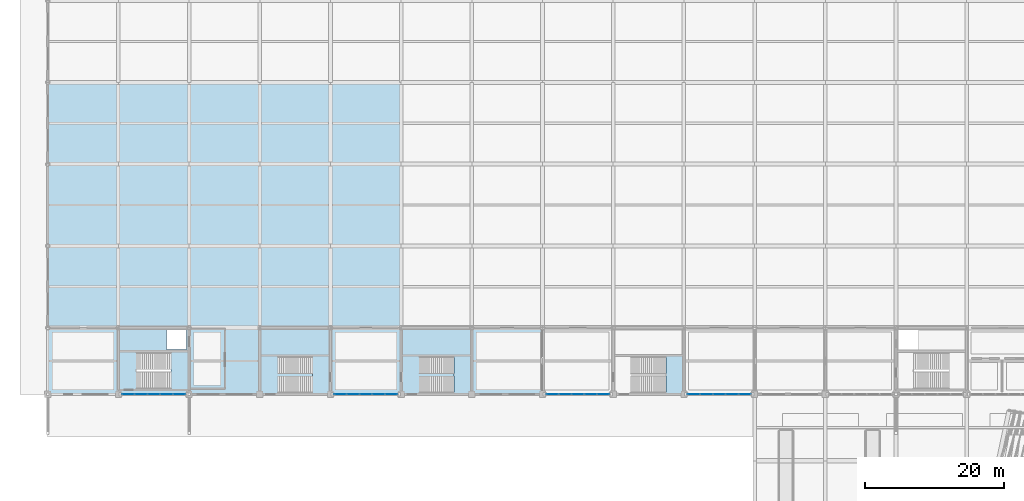
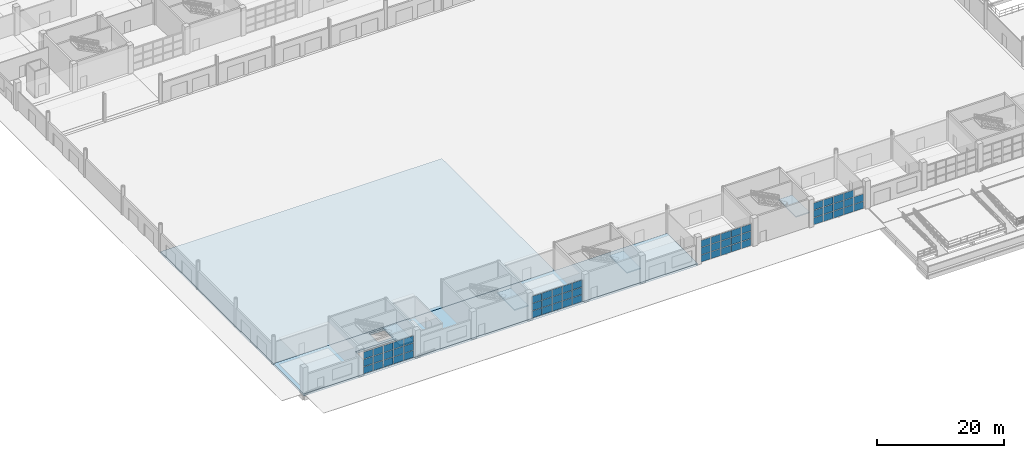
# One storey, part 73 of 124: 59 plates, 6 slabs, 8 elements without a shape of their own.
"""IFC4 building model written with IfcOpenShell, lengths in metres."""

from ifc_helpers import new_model, si_unit, direction, frame, origin, origin_2d, place, context, subcontext, project, spatial, polyline, rectangle, outline, extrude, material, layer, layer_set, type_object, element, aggregate, save


model = new_model("IFC4")

# Units and contexts
model_context = context("Model", 3, precision=1e-05, world=origin(), true_north=direction((0.0, 1.0)))
body_context = subcontext(model_context, "Body", "Model", "MODEL_VIEW")
ifc_project = project(units=[si_unit("LENGTHUNIT", "METRE"), si_unit("AREAUNIT", "SQUARE_METRE"), si_unit("VOLUMEUNIT", "CUBIC_METRE"), si_unit("PLANEANGLEUNIT", "RADIAN"), si_unit("MASSUNIT", "GRAM", prefix="KILO")], contexts=[model_context])

# Site, building, storey
site_placement = place(None, origin())
site = spatial("IfcSite", under=ifc_project, at=site_placement, CompositionType="ELEMENT")
building_placement = place(site_placement, origin())
building = spatial("IfcBuilding", under=site, at=building_placement, Name="Brelvane Convention Centre", CompositionType="ELEMENT")
storey_placement = place(building_placement, origin())
storey = spatial("IfcBuildingStorey", under=building, at=storey_placement, Name="L00", CompositionType="ELEMENT", Elevation=0.0)

# Curtain wall, plates
ifc_material_1 = material(Name="Anodised Aluminium Alloy 6063-T6", Category="aluminium")
curtain_wall_type = type_object("IfcCurtainWallType", Name="Curtain Wall CW-CONC", PredefinedType="USERDEFINED", material=ifc_material_1)
curtain_wall_1_placement = place(storey_placement, origin())
curtain_wall_1 = element("IfcCurtainWall", 1, at=curtain_wall_1_placement, inside=storey, type_object=curtain_wall_type, Name="Curtain Wall CW-CONC L00-V1S-02", ObjectType="UNITISED", PredefinedType="USERDEFINED")
ifc_material_2 = material(Name="Double Glazed Low-E Laminated Unit")
ifc_layer_1 = layer(ifc_material_2, 0.031982421875)
ifc_layer_set_1 = layer_set([ifc_layer_1], Name="Double Glazed Low-E Laminated Unit")
plate_type = type_object("IfcPlateType", Name="Curtain Panel CW-PG1", PredefinedType="CURTAIN_PANEL", material=ifc_layer_set_1)
plate_1_placement = place(storey_placement, frame((11.639892578125, 19.199951171875, 0.080078125), z_axis=(0.0, 0.0, 1.0), x_axis=(1.0, 0.0, 0.0)))
plate_1 = element("IfcPlate", 2, at=plate_1_placement, type_object=plate_type, Name="CW-CONC panel 1.1", PredefinedType="CURTAIN_PANEL", context=body_context, shape_type="SweptSolid", body=[
    extrude(rectangle(XDim=1.719970703125, YDim=0.031982421875, at=origin_2d()), origin(), (0.0, 0.0, 1.0), 1.313232421875),
])
plate_2_placement = place(storey_placement, frame((11.639892578125, 19.199951171875, 1.47314453125), z_axis=(0.0, 0.0, 1.0), x_axis=(1.0, 0.0, 0.0)))
plate_2 = element("IfcPlate", 3, at=plate_2_placement, type_object=plate_type, Name="CW-CONC panel 1.2", PredefinedType="CURTAIN_PANEL", context=body_context, shape_type="SweptSolid", body=[
    extrude(rectangle(XDim=1.719970703125, YDim=0.031982421875, at=origin_2d()), origin(), (0.0, 0.0, 1.0), 1.353515625),
])
plate_3_placement = place(storey_placement, frame((11.639892578125, 19.199951171875, 2.90673828125), z_axis=(0.0, 0.0, 1.0), x_axis=(1.0, 0.0, 0.0)))
plate_3 = element("IfcPlate", 4, at=plate_3_placement, type_object=plate_type, Name="CW-CONC panel 1.3", PredefinedType="CURTAIN_PANEL", context=body_context, shape_type="SweptSolid", body=[
    extrude(rectangle(XDim=1.719970703125, YDim=0.031982421875, at=origin_2d()), origin(), (0.0, 0.0, 1.0), 1.313232421875),
])
plate_4_placement = place(storey_placement, frame((13.4599609375, 19.199951171875, 0.080078125), z_axis=(0.0, 0.0, 1.0), x_axis=(1.0, 0.0, 0.0)))
plate_4 = element("IfcPlate", 5, at=plate_4_placement, type_object=plate_type, Name="CW-CONC panel 2.1", PredefinedType="CURTAIN_PANEL", context=body_context, shape_type="SweptSolid", body=[
    extrude(rectangle(XDim=1.760009765625, YDim=0.031982421875, at=origin_2d()), origin(), (0.0, 0.0, 1.0), 1.313232421875),
])
plate_5_placement = place(storey_placement, frame((13.4599609375, 19.199951171875, 1.47314453125), z_axis=(0.0, 0.0, 1.0), x_axis=(1.0, 0.0, 0.0)))
plate_5 = element("IfcPlate", 6, at=plate_5_placement, type_object=plate_type, Name="CW-CONC panel 2.2", PredefinedType="CURTAIN_PANEL", context=body_context, shape_type="SweptSolid", body=[
    extrude(rectangle(XDim=1.760009765625, YDim=0.031982421875, at=origin_2d()), origin(), (0.0, 0.0, 1.0), 1.353515625),
])
plate_6_placement = place(storey_placement, frame((13.4599609375, 19.199951171875, 2.90673828125), z_axis=(0.0, 0.0, 1.0), x_axis=(1.0, 0.0, 0.0)))
plate_6 = element("IfcPlate", 7, at=plate_6_placement, type_object=plate_type, Name="CW-CONC panel 2.3", PredefinedType="CURTAIN_PANEL", context=body_context, shape_type="SweptSolid", body=[
    extrude(rectangle(XDim=1.760009765625, YDim=0.031982421875, at=origin_2d()), origin(), (0.0, 0.0, 1.0), 1.313232421875),
])
plate_7_placement = place(storey_placement, frame((15.300048828125, 19.199951171875, 0.080078125), z_axis=(0.0, 0.0, 1.0), x_axis=(1.0, 0.0, 0.0)))
plate_7 = element("IfcPlate", 8, at=plate_7_placement, type_object=plate_type, Name="CW-CONC panel 3.1", PredefinedType="CURTAIN_PANEL", context=body_context, shape_type="SweptSolid", body=[
    extrude(rectangle(XDim=1.760009765625, YDim=0.031982421875, at=origin_2d()), origin(), (0.0, 0.0, 1.0), 1.313232421875),
])
plate_8_placement = place(storey_placement, frame((15.300048828125, 19.199951171875, 1.47314453125), z_axis=(0.0, 0.0, 1.0), x_axis=(1.0, 0.0, 0.0)))
plate_8 = element("IfcPlate", 9, at=plate_8_placement, type_object=plate_type, Name="CW-CONC panel 3.2", PredefinedType="CURTAIN_PANEL", context=body_context, shape_type="SweptSolid", body=[
    extrude(rectangle(XDim=1.760009765625, YDim=0.031982421875, at=origin_2d()), origin(), (0.0, 0.0, 1.0), 1.353515625),
])
plate_9_placement = place(storey_placement, frame((15.300048828125, 19.199951171875, 2.90673828125), z_axis=(0.0, 0.0, 1.0), x_axis=(1.0, 0.0, 0.0)))
plate_9 = element("IfcPlate", 10, at=plate_9_placement, type_object=plate_type, Name="CW-CONC panel 3.3", PredefinedType="CURTAIN_PANEL", context=body_context, shape_type="SweptSolid", body=[
    extrude(rectangle(XDim=1.760009765625, YDim=0.031982421875, at=origin_2d()), origin(), (0.0, 0.0, 1.0), 1.313232421875),
])
plate_10_placement = place(storey_placement, frame((17.139892578125, 19.199951171875, 0.080078125), z_axis=(0.0, 0.0, 1.0), x_axis=(1.0, 0.0, 0.0)))
plate_10 = element("IfcPlate", 11, at=plate_10_placement, type_object=plate_type, Name="CW-CONC panel 4.1", PredefinedType="CURTAIN_PANEL", context=body_context, shape_type="SweptSolid", body=[
    extrude(rectangle(XDim=1.760009765625, YDim=0.031982421875, at=origin_2d()), origin(), (0.0, 0.0, 1.0), 1.313232421875),
])
plate_11_placement = place(storey_placement, frame((17.139892578125, 19.199951171875, 1.47314453125), z_axis=(0.0, 0.0, 1.0), x_axis=(1.0, 0.0, 0.0)))
plate_11 = element("IfcPlate", 12, at=plate_11_placement, type_object=plate_type, Name="CW-CONC panel 4.2", PredefinedType="CURTAIN_PANEL", context=body_context, shape_type="SweptSolid", body=[
    extrude(rectangle(XDim=1.760009765625, YDim=0.031982421875, at=origin_2d()), origin(), (0.0, 0.0, 1.0), 1.353515625),
])
plate_12_placement = place(storey_placement, frame((17.139892578125, 19.199951171875, 2.90673828125), z_axis=(0.0, 0.0, 1.0), x_axis=(1.0, 0.0, 0.0)))
plate_12 = element("IfcPlate", 13, at=plate_12_placement, type_object=plate_type, Name="CW-CONC panel 4.3", PredefinedType="CURTAIN_PANEL", context=body_context, shape_type="SweptSolid", body=[
    extrude(rectangle(XDim=1.760009765625, YDim=0.031982421875, at=origin_2d()), origin(), (0.0, 0.0, 1.0), 1.313232421875),
])
plate_13_placement = place(storey_placement, frame((18.9599609375, 19.199951171875, 0.080078125), z_axis=(0.0, 0.0, 1.0), x_axis=(1.0, 0.0, 0.0)))
plate_13 = element("IfcPlate", 14, at=plate_13_placement, type_object=plate_type, Name="CW-CONC panel 5.1", PredefinedType="CURTAIN_PANEL", context=body_context, shape_type="SweptSolid", body=[
    extrude(rectangle(XDim=1.719970703125, YDim=0.031982421875, at=origin_2d()), origin(), (0.0, 0.0, 1.0), 1.313232421875),
])
plate_14_placement = place(storey_placement, frame((18.9599609375, 19.199951171875, 1.47314453125), z_axis=(0.0, 0.0, 1.0), x_axis=(1.0, 0.0, 0.0)))
plate_14 = element("IfcPlate", 15, at=plate_14_placement, type_object=plate_type, Name="CW-CONC panel 5.2", PredefinedType="CURTAIN_PANEL", context=body_context, shape_type="SweptSolid", body=[
    extrude(rectangle(XDim=1.719970703125, YDim=0.031982421875, at=origin_2d()), origin(), (0.0, 0.0, 1.0), 1.353515625),
])
plate_15_placement = place(storey_placement, frame((18.9599609375, 19.199951171875, 2.90673828125), z_axis=(0.0, 0.0, 1.0), x_axis=(1.0, 0.0, 0.0)))
plate_15 = element("IfcPlate", 16, at=plate_15_placement, type_object=plate_type, Name="CW-CONC panel 5.3", PredefinedType="CURTAIN_PANEL", context=body_context, shape_type="SweptSolid", body=[
    extrude(rectangle(XDim=1.719970703125, YDim=0.031982421875, at=origin_2d()), origin(), (0.0, 0.0, 1.0), 1.313232421875),
])
aggregate(curtain_wall_1, [plate_1, plate_2, plate_3, plate_4, plate_5, plate_6, plate_7, plate_8, plate_9, plate_10, plate_11, plate_12, plate_13, plate_14, plate_15])

curtain_wall_2_placement = place(storey_placement, origin())
curtain_wall_2 = element("IfcCurtainWall", 17, at=curtain_wall_2_placement, inside=storey, type_object=curtain_wall_type, Name="Curtain Wall CW-CONC L00-V1S-05", ObjectType="UNITISED", PredefinedType="USERDEFINED")
plate_16_placement = place(storey_placement, frame((42.239990234375, 19.199951171875, 0.080078125), z_axis=(0.0, 0.0, 1.0), x_axis=(1.0, 0.0, 0.0)))
plate_16 = element("IfcPlate", 18, at=plate_16_placement, type_object=plate_type, Name="CW-CONC panel 1.1", PredefinedType="CURTAIN_PANEL", context=body_context, shape_type="SweptSolid", body=[
    extrude(rectangle(XDim=1.719970703125, YDim=0.031982421875, at=origin_2d()), origin(), (0.0, 0.0, 1.0), 1.313232421875),
])
plate_17_placement = place(storey_placement, frame((42.239990234375, 19.199951171875, 1.47314453125), z_axis=(0.0, 0.0, 1.0), x_axis=(1.0, 0.0, 0.0)))
plate_17 = element("IfcPlate", 19, at=plate_17_placement, type_object=plate_type, Name="CW-CONC panel 1.2", PredefinedType="CURTAIN_PANEL", context=body_context, shape_type="SweptSolid", body=[
    extrude(rectangle(XDim=1.719970703125, YDim=0.031982421875, at=origin_2d()), origin(), (0.0, 0.0, 1.0), 1.353515625),
])
plate_18_placement = place(storey_placement, frame((42.239990234375, 19.199951171875, 2.90673828125), z_axis=(0.0, 0.0, 1.0), x_axis=(1.0, 0.0, 0.0)))
plate_18 = element("IfcPlate", 20, at=plate_18_placement, type_object=plate_type, Name="CW-CONC panel 1.3", PredefinedType="CURTAIN_PANEL", context=body_context, shape_type="SweptSolid", body=[
    extrude(rectangle(XDim=1.719970703125, YDim=0.031982421875, at=origin_2d()), origin(), (0.0, 0.0, 1.0), 1.313232421875),
])
plate_19_placement = place(storey_placement, frame((44.06005859375, 19.199951171875, 0.080078125), z_axis=(0.0, 0.0, 1.0), x_axis=(1.0, 0.0, 0.0)))
plate_19 = element("IfcPlate", 21, at=plate_19_placement, type_object=plate_type, Name="CW-CONC panel 2.1", PredefinedType="CURTAIN_PANEL", context=body_context, shape_type="SweptSolid", body=[
    extrude(rectangle(XDim=1.760009765625, YDim=0.031982421875, at=origin_2d()), origin(), (0.0, 0.0, 1.0), 1.313232421875),
])
plate_20_placement = place(storey_placement, frame((44.06005859375, 19.199951171875, 1.47314453125), z_axis=(0.0, 0.0, 1.0), x_axis=(1.0, 0.0, 0.0)))
plate_20 = element("IfcPlate", 22, at=plate_20_placement, type_object=plate_type, Name="CW-CONC panel 2.2", PredefinedType="CURTAIN_PANEL", context=body_context, shape_type="SweptSolid", body=[
    extrude(rectangle(XDim=1.760009765625, YDim=0.031982421875, at=origin_2d()), origin(), (0.0, 0.0, 1.0), 1.353515625),
])
plate_21_placement = place(storey_placement, frame((44.06005859375, 19.199951171875, 2.90673828125), z_axis=(0.0, 0.0, 1.0), x_axis=(1.0, 0.0, 0.0)))
plate_21 = element("IfcPlate", 23, at=plate_21_placement, type_object=plate_type, Name="CW-CONC panel 2.3", PredefinedType="CURTAIN_PANEL", context=body_context, shape_type="SweptSolid", body=[
    extrude(rectangle(XDim=1.760009765625, YDim=0.031982421875, at=origin_2d()), origin(), (0.0, 0.0, 1.0), 1.313232421875),
])
plate_22_placement = place(storey_placement, frame((45.89990234375, 19.199951171875, 0.080078125), z_axis=(0.0, 0.0, 1.0), x_axis=(1.0, 0.0, 0.0)))
plate_22 = element("IfcPlate", 24, at=plate_22_placement, type_object=plate_type, Name="CW-CONC panel 3.1", PredefinedType="CURTAIN_PANEL", context=body_context, shape_type="SweptSolid", body=[
    extrude(rectangle(XDim=1.760009765625, YDim=0.031982421875, at=origin_2d()), origin(), (0.0, 0.0, 1.0), 1.313232421875),
])
plate_23_placement = place(storey_placement, frame((45.89990234375, 19.199951171875, 1.47314453125), z_axis=(0.0, 0.0, 1.0), x_axis=(1.0, 0.0, 0.0)))
plate_23 = element("IfcPlate", 25, at=plate_23_placement, type_object=plate_type, Name="CW-CONC panel 3.2", PredefinedType="CURTAIN_PANEL", context=body_context, shape_type="SweptSolid", body=[
    extrude(rectangle(XDim=1.760009765625, YDim=0.031982421875, at=origin_2d()), origin(), (0.0, 0.0, 1.0), 1.353515625),
])
plate_24_placement = place(storey_placement, frame((45.89990234375, 19.199951171875, 2.90673828125), z_axis=(0.0, 0.0, 1.0), x_axis=(1.0, 0.0, 0.0)))
plate_24 = element("IfcPlate", 26, at=plate_24_placement, type_object=plate_type, Name="CW-CONC panel 3.3", PredefinedType="CURTAIN_PANEL", context=body_context, shape_type="SweptSolid", body=[
    extrude(rectangle(XDim=1.760009765625, YDim=0.031982421875, at=origin_2d()), origin(), (0.0, 0.0, 1.0), 1.313232421875),
])
plate_25_placement = place(storey_placement, frame((47.739990234375, 19.199951171875, 0.080078125), z_axis=(0.0, 0.0, 1.0), x_axis=(1.0, 0.0, 0.0)))
plate_25 = element("IfcPlate", 27, at=plate_25_placement, type_object=plate_type, Name="CW-CONC panel 4.1", PredefinedType="CURTAIN_PANEL", context=body_context, shape_type="SweptSolid", body=[
    extrude(rectangle(XDim=1.760009765625, YDim=0.031982421875, at=origin_2d()), origin(), (0.0, 0.0, 1.0), 1.313232421875),
])
plate_26_placement = place(storey_placement, frame((47.739990234375, 19.199951171875, 1.47314453125), z_axis=(0.0, 0.0, 1.0), x_axis=(1.0, 0.0, 0.0)))
plate_26 = element("IfcPlate", 28, at=plate_26_placement, type_object=plate_type, Name="CW-CONC panel 4.2", PredefinedType="CURTAIN_PANEL", context=body_context, shape_type="SweptSolid", body=[
    extrude(rectangle(XDim=1.760009765625, YDim=0.031982421875, at=origin_2d()), origin(), (0.0, 0.0, 1.0), 1.353515625),
])
plate_27_placement = place(storey_placement, frame((47.739990234375, 19.199951171875, 2.90673828125), z_axis=(0.0, 0.0, 1.0), x_axis=(1.0, 0.0, 0.0)))
plate_27 = element("IfcPlate", 29, at=plate_27_placement, type_object=plate_type, Name="CW-CONC panel 4.3", PredefinedType="CURTAIN_PANEL", context=body_context, shape_type="SweptSolid", body=[
    extrude(rectangle(XDim=1.760009765625, YDim=0.031982421875, at=origin_2d()), origin(), (0.0, 0.0, 1.0), 1.313232421875),
])
plate_28_placement = place(storey_placement, frame((49.56005859375, 19.199951171875, 0.080078125), z_axis=(0.0, 0.0, 1.0), x_axis=(1.0, 0.0, 0.0)))
plate_28 = element("IfcPlate", 30, at=plate_28_placement, type_object=plate_type, Name="CW-CONC panel 5.1", PredefinedType="CURTAIN_PANEL", context=body_context, shape_type="SweptSolid", body=[
    extrude(rectangle(XDim=1.719970703125, YDim=0.031982421875, at=origin_2d()), origin(), (0.0, 0.0, 1.0), 1.313232421875),
])
plate_29_placement = place(storey_placement, frame((49.56005859375, 19.199951171875, 1.47314453125), z_axis=(0.0, 0.0, 1.0), x_axis=(1.0, 0.0, 0.0)))
plate_29 = element("IfcPlate", 31, at=plate_29_placement, type_object=plate_type, Name="CW-CONC panel 5.2", PredefinedType="CURTAIN_PANEL", context=body_context, shape_type="SweptSolid", body=[
    extrude(rectangle(XDim=1.719970703125, YDim=0.031982421875, at=origin_2d()), origin(), (0.0, 0.0, 1.0), 1.353515625),
])
plate_30_placement = place(storey_placement, frame((49.56005859375, 19.199951171875, 2.90673828125), z_axis=(0.0, 0.0, 1.0), x_axis=(1.0, 0.0, 0.0)))
plate_30 = element("IfcPlate", 32, at=plate_30_placement, type_object=plate_type, Name="CW-CONC panel 5.3", PredefinedType="CURTAIN_PANEL", context=body_context, shape_type="SweptSolid", body=[
    extrude(rectangle(XDim=1.719970703125, YDim=0.031982421875, at=origin_2d()), origin(), (0.0, 0.0, 1.0), 1.313232421875),
])
aggregate(curtain_wall_2, [plate_16, plate_17, plate_18, plate_19, plate_20, plate_21, plate_22, plate_23, plate_24, plate_25, plate_26, plate_27, plate_28, plate_29, plate_30])

curtain_wall_3_placement = place(storey_placement, origin())
curtain_wall_3 = element("IfcCurtainWall", 33, at=curtain_wall_3_placement, inside=storey, type_object=curtain_wall_type, Name="Curtain Wall CW-CONC L00-V1S-08", ObjectType="UNITISED", PredefinedType="USERDEFINED")
plate_31_placement = place(storey_placement, frame((72.840087890625, 19.199951171875, 0.080078125), z_axis=(0.0, 0.0, 1.0), x_axis=(1.0, 0.0, 0.0)))
plate_31 = element("IfcPlate", 34, at=plate_31_placement, type_object=plate_type, Name="CW-CONC panel 1.1", PredefinedType="CURTAIN_PANEL", context=body_context, shape_type="SweptSolid", body=[
    extrude(rectangle(XDim=1.719970703125, YDim=0.031982421875, at=origin_2d()), origin(), (0.0, 0.0, 1.0), 1.313232421875),
])
plate_32_placement = place(storey_placement, frame((72.840087890625, 19.199951171875, 1.47314453125), z_axis=(0.0, 0.0, 1.0), x_axis=(1.0, 0.0, 0.0)))
plate_32 = element("IfcPlate", 35, at=plate_32_placement, type_object=plate_type, Name="CW-CONC panel 1.2", PredefinedType="CURTAIN_PANEL", context=body_context, shape_type="SweptSolid", body=[
    extrude(rectangle(XDim=1.719970703125, YDim=0.031982421875, at=origin_2d()), origin(), (0.0, 0.0, 1.0), 1.353515625),
])
plate_33_placement = place(storey_placement, frame((72.840087890625, 19.199951171875, 2.90673828125), z_axis=(0.0, 0.0, 1.0), x_axis=(1.0, 0.0, 0.0)))
plate_33 = element("IfcPlate", 36, at=plate_33_placement, type_object=plate_type, Name="CW-CONC panel 1.3", PredefinedType="CURTAIN_PANEL", context=body_context, shape_type="SweptSolid", body=[
    extrude(rectangle(XDim=1.719970703125, YDim=0.031982421875, at=origin_2d()), origin(), (0.0, 0.0, 1.0), 1.313232421875),
])
plate_34_placement = place(storey_placement, frame((74.659912109375, 19.199951171875, 0.080078125), z_axis=(0.0, 0.0, 1.0), x_axis=(1.0, 0.0, 0.0)))
plate_34 = element("IfcPlate", 37, at=plate_34_placement, type_object=plate_type, Name="CW-CONC panel 2.1", PredefinedType="CURTAIN_PANEL", context=body_context, shape_type="SweptSolid", body=[
    extrude(rectangle(XDim=1.760009765625, YDim=0.031982421875, at=origin_2d()), origin(), (0.0, 0.0, 1.0), 1.313232421875),
])
plate_35_placement = place(storey_placement, frame((74.659912109375, 19.199951171875, 1.47314453125), z_axis=(0.0, 0.0, 1.0), x_axis=(1.0, 0.0, 0.0)))
plate_35 = element("IfcPlate", 38, at=plate_35_placement, type_object=plate_type, Name="CW-CONC panel 2.2", PredefinedType="CURTAIN_PANEL", context=body_context, shape_type="SweptSolid", body=[
    extrude(rectangle(XDim=1.760009765625, YDim=0.031982421875, at=origin_2d()), origin(), (0.0, 0.0, 1.0), 1.353515625),
])
plate_36_placement = place(storey_placement, frame((74.659912109375, 19.199951171875, 2.90673828125), z_axis=(0.0, 0.0, 1.0), x_axis=(1.0, 0.0, 0.0)))
plate_36 = element("IfcPlate", 39, at=plate_36_placement, type_object=plate_type, Name="CW-CONC panel 2.3", PredefinedType="CURTAIN_PANEL", context=body_context, shape_type="SweptSolid", body=[
    extrude(rectangle(XDim=1.760009765625, YDim=0.031982421875, at=origin_2d()), origin(), (0.0, 0.0, 1.0), 1.313232421875),
])
plate_37_placement = place(storey_placement, frame((76.5, 19.199951171875, 0.080078125), z_axis=(0.0, 0.0, 1.0), x_axis=(1.0, 0.0, 0.0)))
plate_37 = element("IfcPlate", 40, at=plate_37_placement, type_object=plate_type, Name="CW-CONC panel 3.1", PredefinedType="CURTAIN_PANEL", context=body_context, shape_type="SweptSolid", body=[
    extrude(rectangle(XDim=1.760009765625, YDim=0.031982421875, at=origin_2d()), origin(), (0.0, 0.0, 1.0), 1.313232421875),
])
plate_38_placement = place(storey_placement, frame((76.5, 19.199951171875, 1.47314453125), z_axis=(0.0, 0.0, 1.0), x_axis=(1.0, 0.0, 0.0)))
plate_38 = element("IfcPlate", 41, at=plate_38_placement, type_object=plate_type, Name="CW-CONC panel 3.2", PredefinedType="CURTAIN_PANEL", context=body_context, shape_type="SweptSolid", body=[
    extrude(rectangle(XDim=1.760009765625, YDim=0.031982421875, at=origin_2d()), origin(), (0.0, 0.0, 1.0), 1.353515625),
])
plate_39_placement = place(storey_placement, frame((76.5, 19.199951171875, 2.90673828125), z_axis=(0.0, 0.0, 1.0), x_axis=(1.0, 0.0, 0.0)))
plate_39 = element("IfcPlate", 42, at=plate_39_placement, type_object=plate_type, Name="CW-CONC panel 3.3", PredefinedType="CURTAIN_PANEL", context=body_context, shape_type="SweptSolid", body=[
    extrude(rectangle(XDim=1.760009765625, YDim=0.031982421875, at=origin_2d()), origin(), (0.0, 0.0, 1.0), 1.313232421875),
])
plate_40_placement = place(storey_placement, frame((78.340087890625, 19.199951171875, 0.080078125), z_axis=(0.0, 0.0, 1.0), x_axis=(1.0, 0.0, 0.0)))
plate_40 = element("IfcPlate", 43, at=plate_40_placement, type_object=plate_type, Name="CW-CONC panel 4.1", PredefinedType="CURTAIN_PANEL", context=body_context, shape_type="SweptSolid", body=[
    extrude(rectangle(XDim=1.760009765625, YDim=0.031982421875, at=origin_2d()), origin(), (0.0, 0.0, 1.0), 1.313232421875),
])
plate_41_placement = place(storey_placement, frame((78.340087890625, 19.199951171875, 1.47314453125), z_axis=(0.0, 0.0, 1.0), x_axis=(1.0, 0.0, 0.0)))
plate_41 = element("IfcPlate", 44, at=plate_41_placement, type_object=plate_type, Name="CW-CONC panel 4.2", PredefinedType="CURTAIN_PANEL", context=body_context, shape_type="SweptSolid", body=[
    extrude(rectangle(XDim=1.760009765625, YDim=0.031982421875, at=origin_2d()), origin(), (0.0, 0.0, 1.0), 1.353515625),
])
plate_42_placement = place(storey_placement, frame((78.340087890625, 19.199951171875, 2.90673828125), z_axis=(0.0, 0.0, 1.0), x_axis=(1.0, 0.0, 0.0)))
plate_42 = element("IfcPlate", 45, at=plate_42_placement, type_object=plate_type, Name="CW-CONC panel 4.3", PredefinedType="CURTAIN_PANEL", context=body_context, shape_type="SweptSolid", body=[
    extrude(rectangle(XDim=1.760009765625, YDim=0.031982421875, at=origin_2d()), origin(), (0.0, 0.0, 1.0), 1.313232421875),
])
plate_43_placement = place(storey_placement, frame((80.159912109375, 19.199951171875, 0.080078125), z_axis=(0.0, 0.0, 1.0), x_axis=(1.0, 0.0, 0.0)))
plate_43 = element("IfcPlate", 46, at=plate_43_placement, type_object=plate_type, Name="CW-CONC panel 5.1", PredefinedType="CURTAIN_PANEL", context=body_context, shape_type="SweptSolid", body=[
    extrude(rectangle(XDim=1.719970703125, YDim=0.031982421875, at=origin_2d()), origin(), (0.0, 0.0, 1.0), 1.313232421875),
])
plate_44_placement = place(storey_placement, frame((80.159912109375, 19.199951171875, 1.47314453125), z_axis=(0.0, 0.0, 1.0), x_axis=(1.0, 0.0, 0.0)))
plate_44 = element("IfcPlate", 47, at=plate_44_placement, type_object=plate_type, Name="CW-CONC panel 5.2", PredefinedType="CURTAIN_PANEL", context=body_context, shape_type="SweptSolid", body=[
    extrude(rectangle(XDim=1.719970703125, YDim=0.031982421875, at=origin_2d()), origin(), (0.0, 0.0, 1.0), 1.353515625),
])
plate_45_placement = place(storey_placement, frame((80.159912109375, 19.199951171875, 2.90673828125), z_axis=(0.0, 0.0, 1.0), x_axis=(1.0, 0.0, 0.0)))
plate_45 = element("IfcPlate", 48, at=plate_45_placement, type_object=plate_type, Name="CW-CONC panel 5.3", PredefinedType="CURTAIN_PANEL", context=body_context, shape_type="SweptSolid", body=[
    extrude(rectangle(XDim=1.719970703125, YDim=0.031982421875, at=origin_2d()), origin(), (0.0, 0.0, 1.0), 1.313232421875),
])
aggregate(curtain_wall_3, [plate_31, plate_32, plate_33, plate_34, plate_35, plate_36, plate_37, plate_38, plate_39, plate_40, plate_41, plate_42, plate_43, plate_44, plate_45])

curtain_wall_4_placement = place(storey_placement, origin())
curtain_wall_4 = element("IfcCurtainWall", 49, at=curtain_wall_4_placement, inside=storey, type_object=curtain_wall_type, Name="Curtain Wall CW-CONC L00-V1S-10", ObjectType="UNITISED", PredefinedType="USERDEFINED")
plate_46_placement = place(storey_placement, frame((93.239990234375, 19.199951171875, 0.080078125), z_axis=(0.0, 0.0, 1.0), x_axis=(1.0, 0.0, 0.0)))
plate_46 = element("IfcPlate", 50, at=plate_46_placement, type_object=plate_type, Name="CW-CONC panel 1.1", PredefinedType="CURTAIN_PANEL", context=body_context, shape_type="SweptSolid", body=[
    extrude(rectangle(XDim=1.719970703125, YDim=0.031982421875, at=origin_2d()), origin(), (0.0, 0.0, 1.0), 1.313232421875),
])
plate_47_placement = place(storey_placement, frame((93.239990234375, 19.199951171875, 1.47314453125), z_axis=(0.0, 0.0, 1.0), x_axis=(1.0, 0.0, 0.0)))
plate_47 = element("IfcPlate", 51, at=plate_47_placement, type_object=plate_type, Name="CW-CONC panel 1.2", PredefinedType="CURTAIN_PANEL", context=body_context, shape_type="SweptSolid", body=[
    extrude(rectangle(XDim=1.719970703125, YDim=0.031982421875, at=origin_2d()), origin(), (0.0, 0.0, 1.0), 1.353515625),
])
plate_48_placement = place(storey_placement, frame((93.239990234375, 19.199951171875, 2.90673828125), z_axis=(0.0, 0.0, 1.0), x_axis=(1.0, 0.0, 0.0)))
plate_48 = element("IfcPlate", 52, at=plate_48_placement, type_object=plate_type, Name="CW-CONC panel 1.3", PredefinedType="CURTAIN_PANEL", context=body_context, shape_type="SweptSolid", body=[
    extrude(rectangle(XDim=1.719970703125, YDim=0.031982421875, at=origin_2d()), origin(), (0.0, 0.0, 1.0), 1.313232421875),
])
plate_49_placement = place(storey_placement, frame((95.06005859375, 19.199951171875, 0.080078125), z_axis=(0.0, 0.0, 1.0), x_axis=(1.0, 0.0, 0.0)))
plate_49 = element("IfcPlate", 53, at=plate_49_placement, type_object=plate_type, Name="CW-CONC panel 2.1", PredefinedType="CURTAIN_PANEL", context=body_context, shape_type="SweptSolid", body=[
    extrude(rectangle(XDim=1.760009765625, YDim=0.031982421875, at=origin_2d()), origin(), (0.0, 0.0, 1.0), 1.313232421875),
])
plate_50_placement = place(storey_placement, frame((95.06005859375, 19.199951171875, 1.47314453125), z_axis=(0.0, 0.0, 1.0), x_axis=(1.0, 0.0, 0.0)))
plate_50 = element("IfcPlate", 54, at=plate_50_placement, type_object=plate_type, Name="CW-CONC panel 2.2", PredefinedType="CURTAIN_PANEL", context=body_context, shape_type="SweptSolid", body=[
    extrude(rectangle(XDim=1.760009765625, YDim=0.031982421875, at=origin_2d()), origin(), (0.0, 0.0, 1.0), 1.353515625),
])
plate_51_placement = place(storey_placement, frame((95.06005859375, 19.199951171875, 2.90673828125), z_axis=(0.0, 0.0, 1.0), x_axis=(1.0, 0.0, 0.0)))
plate_51 = element("IfcPlate", 55, at=plate_51_placement, type_object=plate_type, Name="CW-CONC panel 2.3", PredefinedType="CURTAIN_PANEL", context=body_context, shape_type="SweptSolid", body=[
    extrude(rectangle(XDim=1.760009765625, YDim=0.031982421875, at=origin_2d()), origin(), (0.0, 0.0, 1.0), 1.313232421875),
])
plate_52_placement = place(storey_placement, frame((96.89990234375, 19.199951171875, 0.080078125), z_axis=(0.0, 0.0, 1.0), x_axis=(1.0, 0.0, 0.0)))
plate_52 = element("IfcPlate", 56, at=plate_52_placement, type_object=plate_type, Name="CW-CONC panel 3.1", PredefinedType="CURTAIN_PANEL", context=body_context, shape_type="SweptSolid", body=[
    extrude(rectangle(XDim=1.760009765625, YDim=0.031982421875, at=origin_2d()), origin(), (0.0, 0.0, 1.0), 1.313232421875),
])
plate_53_placement = place(storey_placement, frame((96.89990234375, 19.199951171875, 1.47314453125), z_axis=(0.0, 0.0, 1.0), x_axis=(1.0, 0.0, 0.0)))
plate_53 = element("IfcPlate", 57, at=plate_53_placement, type_object=plate_type, Name="CW-CONC panel 3.2", PredefinedType="CURTAIN_PANEL", context=body_context, shape_type="SweptSolid", body=[
    extrude(rectangle(XDim=1.760009765625, YDim=0.031982421875, at=origin_2d()), origin(), (0.0, 0.0, 1.0), 1.353515625),
])
plate_54_placement = place(storey_placement, frame((96.89990234375, 19.199951171875, 2.90673828125), z_axis=(0.0, 0.0, 1.0), x_axis=(1.0, 0.0, 0.0)))
plate_54 = element("IfcPlate", 58, at=plate_54_placement, type_object=plate_type, Name="CW-CONC panel 3.3", PredefinedType="CURTAIN_PANEL", context=body_context, shape_type="SweptSolid", body=[
    extrude(rectangle(XDim=1.760009765625, YDim=0.031982421875, at=origin_2d()), origin(), (0.0, 0.0, 1.0), 1.313232421875),
])
plate_55_placement = place(storey_placement, frame((98.739990234375, 19.199951171875, 0.080078125), z_axis=(0.0, 0.0, 1.0), x_axis=(1.0, 0.0, 0.0)))
plate_55 = element("IfcPlate", 59, at=plate_55_placement, type_object=plate_type, Name="CW-CONC panel 4.1", PredefinedType="CURTAIN_PANEL", context=body_context, shape_type="SweptSolid", body=[
    extrude(rectangle(XDim=1.760009765625, YDim=0.031982421875, at=origin_2d()), origin(), (0.0, 0.0, 1.0), 1.313232421875),
])
plate_56_placement = place(storey_placement, frame((98.739990234375, 19.199951171875, 1.47314453125), z_axis=(0.0, 0.0, 1.0), x_axis=(1.0, 0.0, 0.0)))
plate_56 = element("IfcPlate", 60, at=plate_56_placement, type_object=plate_type, Name="CW-CONC panel 4.2", PredefinedType="CURTAIN_PANEL", context=body_context, shape_type="SweptSolid", body=[
    extrude(rectangle(XDim=1.760009765625, YDim=0.031982421875, at=origin_2d()), origin(), (0.0, 0.0, 1.0), 1.353515625),
])
plate_57_placement = place(storey_placement, frame((98.739990234375, 19.199951171875, 2.90673828125), z_axis=(0.0, 0.0, 1.0), x_axis=(1.0, 0.0, 0.0)))
plate_57 = element("IfcPlate", 61, at=plate_57_placement, type_object=plate_type, Name="CW-CONC panel 4.3", PredefinedType="CURTAIN_PANEL", context=body_context, shape_type="SweptSolid", body=[
    extrude(rectangle(XDim=1.760009765625, YDim=0.031982421875, at=origin_2d()), origin(), (0.0, 0.0, 1.0), 1.313232421875),
])
plate_58_placement = place(storey_placement, frame((100.56005859375, 19.199951171875, 0.080078125), z_axis=(0.0, 0.0, 1.0), x_axis=(1.0, 0.0, 0.0)))
plate_58 = element("IfcPlate", 62, at=plate_58_placement, type_object=plate_type, Name="CW-CONC panel 5.1", PredefinedType="CURTAIN_PANEL", context=body_context, shape_type="SweptSolid", body=[
    extrude(rectangle(XDim=1.719970703125, YDim=0.031982421875, at=origin_2d()), origin(), (0.0, 0.0, 1.0), 1.313232421875),
])
plate_59_placement = place(storey_placement, frame((100.56005859375, 19.199951171875, 1.47314453125), z_axis=(0.0, 0.0, 1.0), x_axis=(1.0, 0.0, 0.0)))
plate_59 = element("IfcPlate", 63, at=plate_59_placement, type_object=plate_type, Name="CW-CONC panel 5.2", PredefinedType="CURTAIN_PANEL", context=body_context, shape_type="SweptSolid", body=[
    extrude(rectangle(XDim=1.719970703125, YDim=0.031982421875, at=origin_2d()), origin(), (0.0, 0.0, 1.0), 1.353515625),
])
aggregate(curtain_wall_4, [plate_46, plate_47, plate_48, plate_49, plate_50, plate_51, plate_52, plate_53, plate_54, plate_55, plate_56, plate_57, plate_58, plate_59])

# Stair, slab
ifc_material_3 = material(Name="Concrete M40", Category="concrete")
stair_type = type_object("IfcStairType", Name="Exit Stair ST-CORE", PredefinedType="HALF_TURN_STAIR", material=ifc_material_3)
stair_1_placement = place(storey_placement, origin())
stair_1 = element("IfcStair", 64, at=stair_1_placement, inside=storey, type_object=stair_type, Name="Exit Stair ST-01 (L00 to L01)", PredefinedType="HALF_TURN_STAIR")
ifc_material_4 = material(Name="Concrete M40", Category="concrete")
ifc_layer_2 = layer(ifc_material_4, 0.199951171875)
ifc_layer_set_2 = layer_set([ifc_layer_2], Name="Concrete M40")
slab_type_1 = type_object("IfcSlabType", Name="Stair Landing SL-LND-200", PredefinedType="LANDING", material=ifc_layer_set_2)
slab_1_placement = place(storey_placement, frame((0.0, 0.0, 2.5)))
slab_1 = element("IfcSlab", 65, at=slab_1_placement, type_object=slab_type_1, Name="Stair ST-01 L00 Half Landing", PredefinedType="LANDING", context=body_context, shape_type="SweptSolid", body=[
    extrude(outline(polyline([(17.820068359375, 19.8798828125), (20.320068359375, 19.8798828125), (20.320068359375, 25.320068359375), (17.820068359375, 25.320068359375), (17.820068359375, 19.8798828125)])), origin(), (0.0, 0.0, 1.0), 0.199951171875),
])
aggregate(stair_1, [slab_1])

stair_2_placement = place(storey_placement, origin())
stair_2 = element("IfcStair", 66, at=stair_2_placement, inside=storey, type_object=stair_type, Name="Exit Stair ST-09 (L00 to L01)", PredefinedType="HALF_TURN_STAIR")
slab_2_placement = place(storey_placement, frame((0.0, 0.0, 2.5)))
slab_2 = element("IfcSlab", 67, at=slab_2_placement, type_object=slab_type_1, Name="Stair ST-09 L00 Half Landing", PredefinedType="LANDING", context=body_context, shape_type="SweptSolid", body=[
    extrude(outline(polyline([(58.6201171875, 19.280029296875), (61.1201171875, 19.280029296875), (61.1201171875, 24.719970703125), (58.6201171875, 24.719970703125), (58.6201171875, 19.280029296875)])), origin(), (0.0, 0.0, 1.0), 0.199951171875),
])
aggregate(stair_2, [slab_2])

stair_3_placement = place(storey_placement, origin())
stair_3 = element("IfcStair", 68, at=stair_3_placement, inside=storey, type_object=stair_type, Name="Exit Stair ST-10 (L00 to L01)", PredefinedType="HALF_TURN_STAIR")
slab_3_placement = place(storey_placement, frame((0.0, 0.0, 2.5)))
slab_3 = element("IfcSlab", 69, at=slab_3_placement, type_object=slab_type_1, Name="Stair ST-10 L00 Half Landing", PredefinedType="LANDING", context=body_context, shape_type="SweptSolid", body=[
    extrude(outline(polyline([(89.219970703125, 19.280029296875), (91.719970703125, 19.280029296875), (91.719970703125, 24.719970703125), (89.219970703125, 24.719970703125), (89.219970703125, 19.280029296875)])), origin(), (0.0, 0.0, 1.0), 0.199951171875),
])
aggregate(stair_3, [slab_3])

stair_4_placement = place(storey_placement, origin())
stair_4 = element("IfcStair", 70, at=stair_4_placement, inside=storey, type_object=stair_type, Name="Exit Stair ST-19 (L00 to L01)", PredefinedType="HALF_TURN_STAIR")
slab_4_placement = place(storey_placement, frame((0.0, 0.0, 2.5)))
slab_4 = element("IfcSlab", 71, at=slab_4_placement, type_object=slab_type_1, Name="Stair ST-19 L00 Half Landing", PredefinedType="LANDING", context=body_context, shape_type="SweptSolid", body=[
    extrude(outline(polyline([(38.219970703125, 19.280029296875), (40.719970703125, 19.280029296875), (40.719970703125, 24.719970703125), (38.219970703125, 24.719970703125), (38.219970703125, 19.280029296875)])), origin(), (0.0, 0.0, 1.0), 0.199951171875),
])
aggregate(stair_4, [slab_4])

# Slabs
ifc_material_5 = material(Name="Concrete M40", Category="concrete")
ifc_layer_3 = layer(ifc_material_5, 0.39501953125)
ifc_layer_set_3 = layer_set([ifc_layer_3], Name="Concrete M40")
slab_type_2 = type_object("IfcSlabType", Name="Structural Slab SL-EXH-395", PredefinedType="FLOOR", material=ifc_layer_set_3)
slab_5_placement = place(storey_placement, frame((0.0, 0.0, -0.39501953125)))
element("IfcSlab", 72, at=slab_5_placement, inside=storey, type_object=slab_type_2, Name="L00 ExhHallA Slab EH1", PredefinedType="FLOOR", context=body_context, shape_type="SweptSolid", body=[
    extrude(outline(polyline([(0.0, 28.800048828125), (51.0, 28.800048828125), (51.0, 64.199951171875), (0.0, 64.199951171875), (0.0, 28.800048828125)])), origin(), (0.0, 0.0, 1.0), 0.39501953125),
])
ifc_material_6 = material(Name="Concrete M40", Category="concrete")
ifc_layer_4 = layer(ifc_material_6, 0.39990234375)
ifc_layer_set_4 = layer_set([ifc_layer_4], Name="Concrete M40")
slab_type_3 = type_object("IfcSlabType", Name="Structural Slab SL-PLINTH-400", PredefinedType="BASESLAB", material=ifc_layer_set_4)
slab_6_placement = place(storey_placement, frame((0.0, 0.0, -0.39990234375)))
element("IfcSlab", 73, at=slab_6_placement, inside=storey, type_object=slab_type_3, Name="L00 Podium Slab CONC-W", PredefinedType="BASESLAB", context=body_context, shape_type="SweptSolid", body=[
    extrude(outline(polyline([(0.0, 19.199951171875), (71.39990234375, 19.199951171875), (71.39990234375, 28.800048828125), (0.0, 28.800048828125), (0.0, 19.199951171875)]), holes=[polyline([(12.800048828125, 20.050048828125), (20.050048828125, 20.050048828125), (20.050048828125, 25.14990234375), (12.800048828125, 25.14990234375), (12.800048828125, 20.050048828125)]), polyline([(17.14990234375, 25.64990234375), (20.0, 25.64990234375), (20.0, 28.449951171875), (17.14990234375, 28.449951171875), (17.14990234375, 25.64990234375)])]), origin(), (0.0, 0.0, 1.0), 0.39990234375),
])

save(model, "model.ifc")
